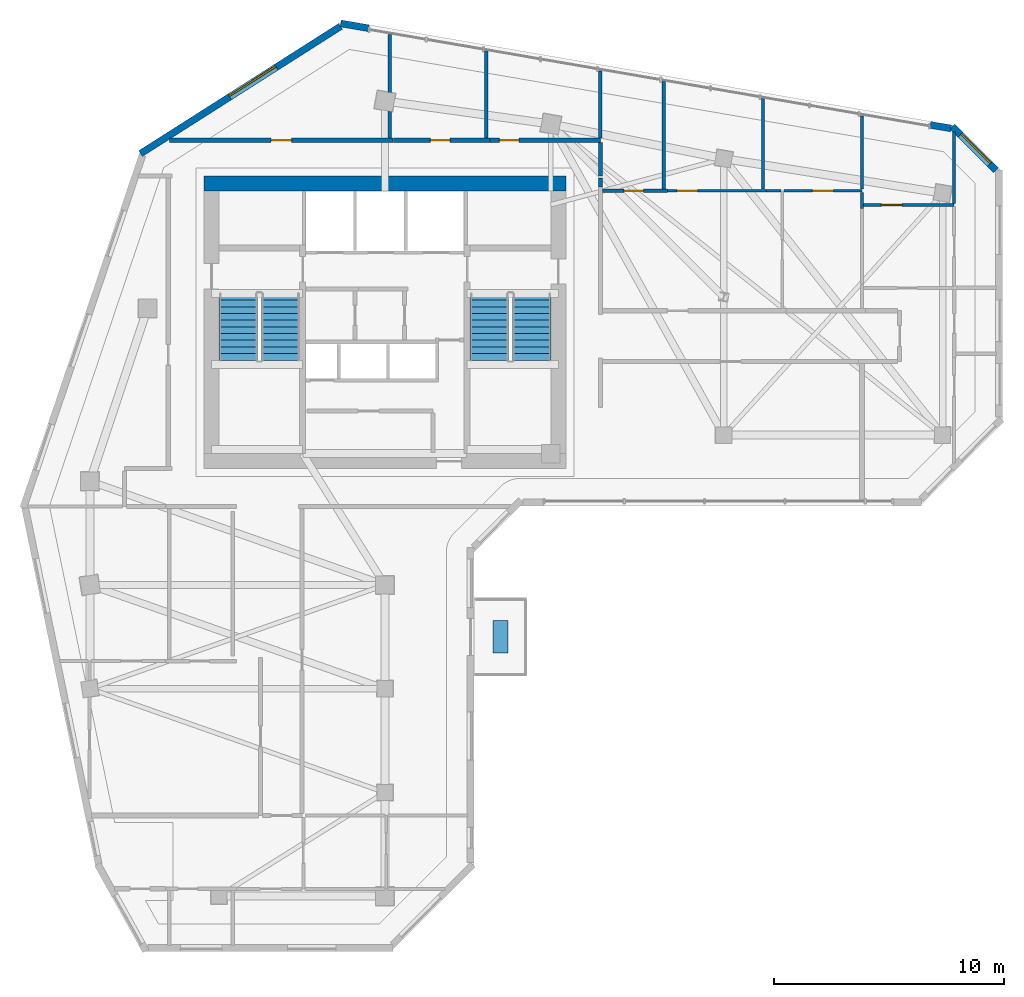
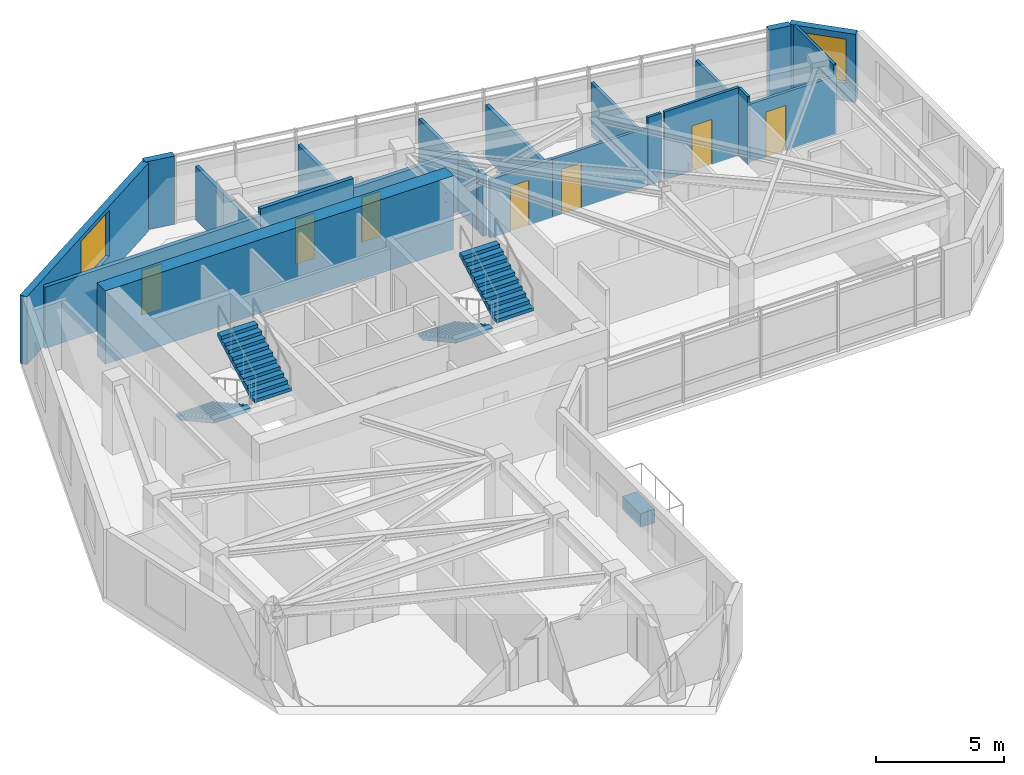
# One storey, part 7 of 10: 23 walls, 7 doors, 4 stair flights, 2 windows, 1 discrete accessory, 9 openings, 2 elements without a shape of their own.
"""IFC4 building model written with IfcOpenShell, lengths in metres."""

from ifc_helpers import new_model, si_unit, direction, frame, frame_2d, origin, origin_2d, place, context, subcontext, project, spatial, polyline, rectangle, outline, extrude, source, transform, mapped, material, layer, layer_set, type_object, element, fill, aggregate, save


model = new_model("IFC4")

# Units and contexts
model_context = context("Model", 3, precision=1e-05, world=origin(), true_north=direction((0.0, 1.0)))
body_context = subcontext(model_context, "Body", "Model", "MODEL_VIEW")
ifc_project = project(units=[si_unit("LENGTHUNIT", "METRE"), si_unit("AREAUNIT", "SQUARE_METRE"), si_unit("VOLUMEUNIT", "CUBIC_METRE"), si_unit("PLANEANGLEUNIT", "RADIAN"), si_unit("MASSUNIT", "GRAM", prefix="KILO")], contexts=[model_context])

# Site, building, storey
site_placement = place(None, origin())
site = spatial("IfcSite", under=ifc_project, at=site_placement, CompositionType="ELEMENT")
building_placement = place(site_placement, origin())
building = spatial("IfcBuilding", under=site, at=building_placement, Name="Calvemar Wedge Station Tower", CompositionType="ELEMENT")
storey_placement = place(building_placement, frame((0.0, 0.0, 197.39990234375)))
storey = spatial("IfcBuildingStorey", under=building, at=storey_placement, Name="L49", CompositionType="ELEMENT", Elevation=197.39990234375)

# Wall
ifc_material_1 = material(Name="Concrete C60", Category="concrete")
ifc_layer_1 = layer(ifc_material_1, 0.64990234375)
ifc_layer_set_1 = layer_set([ifc_layer_1], Name="Concrete C60")
wall_type_1 = type_object("IfcWallType", Name="SW-CORE-650", PredefinedType="SHEAR", material=ifc_layer_set_1)
wall_1_placement = place(storey_placement, frame((15.949951171875, 45.925048828125, 0.0), z_axis=(0.0, 0.0, 1.0), x_axis=(1.0, 0.0, 0.0)))
element("IfcWall", 1, at=wall_1_placement, inside=storey, type_object=wall_type_1, Name="Storey L49 Core Shear Wall N", PredefinedType="SHEAR", context=body_context, shape_type="SweptSolid", body=[
    extrude(rectangle(XDim=15.699951171875, YDim=0.64990234375, at=frame_2d((7.85009765625, 0.0))), origin(), (0.0, 0.0, 1.0), 3.5),
])

# Wall, opening, door
ifc_material_2 = material(Name="Double-stud fire-rated corridor partition")
ifc_layer_2 = layer(ifc_material_2, 0.179931640625)
ifc_layer_set_2 = layer_set([ifc_layer_2], Name="Double-stud fire-rated corridor partition")
wall_type_2 = type_object("IfcWallType", Name="W-CORR-180", PredefinedType="PARTITIONING", material=ifc_layer_set_2)
wall_2_placement = place(storey_placement, frame((14.45263671875, 47.800048828125, 0.0), z_axis=(0.0, 0.0, 1.0), x_axis=(1.0, 0.0, 0.0)))
wall_2 = element("IfcWall", 2, at=wall_2_placement, inside=storey, type_object=wall_type_2, Name="Storey L49 Interior Partition WL-L49-015", PredefinedType="PARTITIONING", context=body_context, shape_type="SweptSolid", body=[
    extrude(rectangle(XDim=9.707275390625, YDim=0.179931640625, at=frame_2d((4.853515625, 0.0))), origin(), (0.0, 0.0, 1.0), 2.919189453125),
])
shared_shape_1 = source(origin(), body_context, "Body", "SweptSolid", [
    extrude(rectangle(XDim=0.89990234375, YDim=2.14990234375, at=frame_2d((0.449951171875, 1.074951171875))), frame((0.0, 0.10009765625, 0.0), z_axis=(0.0, -1.0, 0.0), x_axis=(1.0, 0.0, 0.0)), (0.0, 0.0, 1.0), 0.199951171875),
])
opening_1_placement = place(wall_2_placement, frame((4.40380859375, 0.0, 0.0)))
opening_1 = element("IfcOpeningElement", 3, at=opening_1_placement, cuts=wall_2, Name="Opening D-01", PredefinedType="OPENING", context=body_context, shape_type="MappedRepresentation", body=[
    mapped(shared_shape_1, transform((0.0, 0.0, 0.0), scale=1.0)),
])
ifc_material_3 = material(Name="Architectural hardwood acoustic swing door", Category="wood")
door_type_1 = type_object("IfcDoorType", Name="DR-INT-900", OperationType="NOTDEFINED", PredefinedType="DOOR", material=ifc_material_3)
shared_shape_2 = source(origin(), body_context, "Body", "SweptSolid", [
    extrude(rectangle(XDim=0.89990234375, YDim=2.14990234375, at=frame_2d((0.449951171875, 1.074951171875))), frame((0.0, 0.02490234375, 0.0), z_axis=(0.0, -1.0, 0.0), x_axis=(1.0, 0.0, 0.0)), (0.0, 0.0, 1.0), 0.050048828125),
])
door_1_placement = place(opening_1_placement, origin())
door_1 = element("IfcDoor", 4, at=door_1_placement, inside=storey, type_object=door_type_1, Name="L49 Private Dining Room Door", OperationType="SINGLE_SWING_LEFT", OverallHeight=2.14990234375, OverallWidth=0.89990234375, PredefinedType="DOOR", context=body_context, shape_type="MappedRepresentation", body=[
    mapped(shared_shape_2, transform((0.0, 0.0, 0.0), scale=1.0)),
])
fill(opening_1, door_1)

wall_3_placement = place(storey_placement, frame((24.162109375, 47.800048828125, 0.0), z_axis=(0.0, 0.0, 1.0), x_axis=(1.0, 0.0, 0.0)))
wall_3 = element("IfcWall", 5, at=wall_3_placement, inside=storey, type_object=wall_type_2, Name="Storey L49 Interior Partition WL-L49-016", PredefinedType="PARTITIONING", context=body_context, shape_type="SweptSolid", body=[
    extrude(rectangle(XDim=4.197998046875, YDim=0.179931640625, at=frame_2d((2.09912109375, 0.0))), origin(), (0.0, 0.0, 1.0), 3.25),
])
shared_shape_3 = source(origin(), body_context, "Body", "SweptSolid", [
    extrude(rectangle(XDim=0.85009765625, YDim=2.14990234375, at=frame_2d((0.425048828125, 1.074951171875))), frame((0.0, 0.10009765625, 0.0), z_axis=(0.0, -1.0, 0.0), x_axis=(1.0, 0.0, 0.0)), (0.0, 0.0, 1.0), 0.199951171875),
])
opening_2_placement = place(wall_3_placement, frame((1.61328125, 0.0, 0.0)))
opening_2 = element("IfcOpeningElement", 6, at=opening_2_placement, cuts=wall_3, Name="Opening D-02", PredefinedType="OPENING", context=body_context, shape_type="MappedRepresentation", body=[
    mapped(shared_shape_3, transform((0.0, 0.0, 0.0), scale=1.0)),
])
ifc_material_4 = material(Name="Moisture-sealed bathroom hardwood swing door", Category="wood")
door_type_2 = type_object("IfcDoorType", Name="DR-WET-850", OperationType="NOTDEFINED", PredefinedType="DOOR", material=ifc_material_4)
shared_shape_4 = source(origin(), body_context, "Body", "SweptSolid", [
    extrude(rectangle(XDim=0.85009765625, YDim=2.14990234375, at=frame_2d((0.425048828125, 1.074951171875))), frame((0.0, 0.02490234375, 0.0), z_axis=(0.0, -1.0, 0.0), x_axis=(1.0, 0.0, 0.0)), (0.0, 0.0, 1.0), 0.050048828125),
])
door_2_placement = place(opening_2_placement, origin())
door_2 = element("IfcDoor", 7, at=door_2_placement, inside=storey, type_object=door_type_2, Name="L49 Accessible WC Door", OperationType="SINGLE_SWING_RIGHT", OverallHeight=2.14990234375, OverallWidth=0.85009765625, PredefinedType="DOOR", context=body_context, shape_type="MappedRepresentation", body=[
    mapped(shared_shape_4, transform((0.0, 0.0, 0.0), scale=1.0)),
])
fill(opening_2, door_2)

wall_4_placement = place(storey_placement, frame((28.362060546875, 47.800048828125, 0.0), z_axis=(0.0, 0.0, 1.0), x_axis=(1.0, 0.0, 0.0)))
wall_4 = element("IfcWall", 8, at=wall_4_placement, inside=storey, type_object=wall_type_2, Name="Storey L49 Interior Partition WL-L49-017", PredefinedType="PARTITIONING", context=body_context, shape_type="SweptSolid", body=[
    extrude(rectangle(XDim=4.787841796875, YDim=0.179931640625, at=frame_2d((2.39404296875, 0.0))), origin(), (0.0, 0.0, 1.0), 2.779052734375),
])
opening_3_placement = place(wall_4_placement, frame((0.400634765625, 0.0, 0.0)))
opening_3 = element("IfcOpeningElement", 9, at=opening_3_placement, cuts=wall_4, Name="Opening D-02", PredefinedType="OPENING", context=body_context, shape_type="MappedRepresentation", body=[
    mapped(shared_shape_3, transform((0.0, 0.0, 0.0), scale=1.0)),
])
door_3_placement = place(opening_3_placement, origin())
door_3 = element("IfcDoor", 10, at=door_3_placement, inside=storey, type_object=door_type_2, Name="L49 Storage Room Door", OperationType="SINGLE_SWING_LEFT", OverallHeight=2.14990234375, OverallWidth=0.85009765625, PredefinedType="DOOR", context=body_context, shape_type="MappedRepresentation", body=[
    mapped(shared_shape_4, transform((0.0, 0.0, 0.0), scale=1.0)),
])
fill(opening_3, door_3)

# Walls
wall_5_placement = place(storey_placement, frame((33.14990234375, 47.7060546875, 0.0), z_axis=(0.0, 0.0, 1.0), x_axis=(0.0, -1.0, 0.0)))
element("IfcWall", 11, at=wall_5_placement, inside=storey, type_object=wall_type_2, Name="Storey L49 Interior Partition WL-L49-018", PredefinedType="PARTITIONING", context=body_context, shape_type="SweptSolid", body=[
    extrude(rectangle(XDim=1.4560546875, YDim=0.179931640625, at=frame_2d((0.72802734375, 0.0))), origin(), (0.0, 0.0, 1.0), 2.779052734375),
])
wall_6_placement = place(storey_placement, frame((33.14990234375, 46.156005859375, 0.0), z_axis=(0.0, 0.0, 1.0), x_axis=(0.0, -1.0, 0.0)))
element("IfcWall", 12, at=wall_6_placement, inside=storey, type_object=wall_type_2, Name="Storey L49 Interior Partition WL-L49-020", PredefinedType="PARTITIONING", context=body_context, shape_type="SweptSolid", body=[
    extrude(rectangle(XDim=0.387939453125, YDim=0.179931640625, at=frame_2d((0.19384765625, 0.0))), origin(), (0.0, 0.0, 1.0), 2.919189453125),
])

# Wall, opening, window
ifc_material_5 = material(Name="Precast concrete C45", Category="concrete")
ifc_layer_3 = layer(ifc_material_5, 0.300048828125)
ifc_layer_set_3 = layer_set([ifc_layer_3], Name="Precast concrete C45")
wall_type_3 = type_object("IfcWallType", Name="W-EXT-GFRC-300", PredefinedType="SOLIDWALL", material=ifc_layer_set_3)
wall_7_placement = place(storey_placement, frame((50.31201171875, 46.5, 0.0), z_axis=(0.0, 0.0, 1.0), x_axis=(-0.707106781187, 0.707106781187, 0.0)))
wall_7 = element("IfcWall", 13, at=wall_7_placement, inside=storey, type_object=wall_type_3, Name="Storey L49 Bronze GFRC Exterior Wall 9", PredefinedType="SOLIDWALL", context=body_context, shape_type="SweptSolid", body=[
    extrude(rectangle(XDim=2.67333984375, YDim=0.300048828125, at=frame_2d((1.336669921875, 0.0))), origin(), (0.0, 0.0, 1.0), 3.25),
])
shared_shape_5 = source(origin(), body_context, "Body", "SweptSolid", [
    extrude(rectangle(XDim=1.800048828125, YDim=2.10009765625, at=frame_2d((0.89990234375, 1.050048828125))), frame((0.0, 0.16015625, 0.0), z_axis=(0.0, -1.0, 0.0), x_axis=(1.0, 0.0, 0.0)), (0.0, 0.0, 1.0), 0.320068359375),
])
opening_4_placement = place(wall_7_placement, frame((0.3740234375, 0.0, 0.85009765625)))
opening_4 = element("IfcOpeningElement", 14, at=opening_4_placement, cuts=wall_7, Name="Opening W2", PredefinedType="OPENING", context=body_context, shape_type="MappedRepresentation", body=[
    mapped(shared_shape_5, transform((0.0, 0.0, 0.0), scale=1.0)),
])
ifc_material_6 = material(Name="Low-E laminated insulated glass", Category="glass")
window_type_1 = type_object("IfcWindowType", Name="WIN-EXT-2", PartitioningType="SINGLE_PANEL", PredefinedType="WINDOW", material=ifc_material_6)
shared_shape_6 = source(origin(), body_context, "Body", "SweptSolid", [
    extrude(rectangle(XDim=1.800048828125, YDim=2.10009765625, at=frame_2d((0.89990234375, 1.050048828125))), frame((0.0, -0.014892578125, 0.0), z_axis=(0.0, -1.0, 0.0), x_axis=(1.0, 0.0, 0.0)), (0.0, 0.0, 1.0), 0.06005859375),
])
window_1_placement = place(opening_4_placement, origin())
window_1 = element("IfcWindow", 15, at=window_1_placement, inside=storey, type_object=window_type_1, Name="Storey L49 Recessed Window 9.1", OverallHeight=2.10009765625, OverallWidth=1.800048828125, PartitioningType="SINGLE_PANEL", PredefinedType="WINDOW", context=body_context, shape_type="MappedRepresentation", body=[
    mapped(shared_shape_6, transform((0.0, 0.0, 0.0), scale=1.0)),
])
fill(opening_4, window_1)

# Walls
wall_8_placement = place(storey_placement, frame((48.361083984375, 48.31298828125, 0.0), z_axis=(0.0, 0.0, 1.0), x_axis=(-0.985560806516, 0.169321872949, 0.0)))
element("IfcWall", 16, at=wall_8_placement, inside=storey, type_object=wall_type_3, Name="Storey L49 Bronze GFRC Corner Pier 10A", PredefinedType="SOLIDWALL", context=body_context, shape_type="SweptSolid", body=[
    extrude(rectangle(XDim=0.908447265625, YDim=0.300048828125, at=frame_2d((0.4541015625, 0.0))), origin(), (0.0, 0.0, 1.0), 3.25),
])
wall_9_placement = place(storey_placement, frame((23.093505859375, 52.65966796875, 0.0), z_axis=(0.0, 0.0, 1.0), x_axis=(-0.985503719785, 0.169653818966, 0.0)))
element("IfcWall", 17, at=wall_9_placement, inside=storey, type_object=wall_type_3, Name="Storey L49 Bronze GFRC Corner Pier 10B", PredefinedType="SOLIDWALL", context=body_context, shape_type="SweptSolid", body=[
    extrude(rectangle(XDim=1.2275390625, YDim=0.300048828125, at=frame_2d((0.61376953125, 0.0))), origin(), (0.0, 0.0, 1.0), 3.25),
])

# Wall, opening, window
wall_10_placement = place(storey_placement, frame((21.87451171875, 52.7421875, 0.0), z_axis=(0.0, 0.0, 1.0), x_axis=(-0.843666375448, -0.536867811419, 0.0)))
wall_10 = element("IfcWall", 18, at=wall_10_placement, inside=storey, type_object=wall_type_3, Name="Storey L49 Bronze GFRC Exterior Wall 11", PredefinedType="SOLIDWALL", context=body_context, shape_type="SweptSolid", body=[
    extrude(rectangle(XDim=10.28369140625, YDim=0.300048828125, at=frame_2d((5.141845703125, 0.0))), origin(), (0.0, 0.0, 1.0), 3.25),
])
shared_shape_7 = source(origin(), body_context, "Body", "SweptSolid", [
    extrude(rectangle(XDim=2.39990234375, YDim=2.199951171875, at=frame_2d((1.199951171875, 1.10009765625))), frame((0.0, 0.16015625, 0.0), z_axis=(0.0, -1.0, 0.0), x_axis=(1.0, 0.0, 0.0)), (0.0, 0.0, 1.0), 0.320068359375),
])
opening_5_placement = place(wall_10_placement, frame((3.306884765625, 0.0, 0.85009765625)))
opening_5 = element("IfcOpeningElement", 19, at=opening_5_placement, cuts=wall_10, Name="Opening W1", PredefinedType="OPENING", context=body_context, shape_type="MappedRepresentation", body=[
    mapped(shared_shape_7, transform((0.0, 0.0, 0.0), scale=1.0)),
])
window_type_2 = type_object("IfcWindowType", Name="WIN-EXT-1", PartitioningType="SINGLE_PANEL", PredefinedType="WINDOW", material=ifc_material_6)
shared_shape_8 = source(origin(), body_context, "Body", "SweptSolid", [
    extrude(rectangle(XDim=2.39990234375, YDim=2.199951171875, at=frame_2d((1.199951171875, 1.10009765625))), frame((0.0, -0.014892578125, 0.0), z_axis=(0.0, -1.0, 0.0), x_axis=(1.0, 0.0, 0.0)), (0.0, 0.0, 1.0), 0.06005859375),
])
window_2_placement = place(opening_5_placement, origin())
window_2 = element("IfcWindow", 20, at=window_2_placement, inside=storey, type_object=window_type_2, Name="Storey L49 Recessed Window 11.1", OverallHeight=2.199951171875, OverallWidth=2.39990234375, PartitioningType="SINGLE_PANEL", PredefinedType="WINDOW", context=body_context, shape_type="MappedRepresentation", body=[
    mapped(shared_shape_8, transform((0.0, 0.0, 0.0), scale=1.0)),
])
fill(opening_5, window_2)

# Wall, opening, door
ifc_material_7 = material(Name="Insulated acoustic gypsum stud partition")
ifc_layer_4 = layer(ifc_material_7, 0.125)
ifc_layer_set_4 = layer_set([ifc_layer_4], Name="Insulated acoustic gypsum stud partition")
wall_type_4 = type_object("IfcWallType", Name="W-PART-125", PredefinedType="PARTITIONING", material=ifc_layer_set_4)
wall_11_placement = place(storey_placement, frame((36.06201171875, 45.60595703125, 0.0), z_axis=(0.0, 0.0, 1.0), x_axis=(1.0, 0.0, 0.0)))
wall_11 = element("IfcWall", 21, at=wall_11_placement, inside=storey, type_object=wall_type_4, Name="Storey L49 Interior Partition WL-L49-034", PredefinedType="PARTITIONING", context=body_context, shape_type="SweptSolid", body=[
    extrude(rectangle(XDim=4.298095703125, YDim=0.125, at=frame_2d((2.14892578125, 0.0))), origin(), (0.0, 0.0, 1.0), 2.76611328125),
])
shared_shape_9 = source(origin(), body_context, "Body", "SweptSolid", [
    extrude(rectangle(XDim=0.89990234375, YDim=2.14990234375, at=frame_2d((0.449951171875, 1.074951171875))), frame((0.0, 0.072509765625, 0.0), z_axis=(0.0, -1.0, 0.0), x_axis=(1.0, 0.0, 0.0)), (0.0, 0.0, 1.0), 0.14501953125),
])
opening_6_placement = place(wall_11_placement, frame((0.4033203125, 0.0, 0.0)))
opening_6 = element("IfcOpeningElement", 22, at=opening_6_placement, cuts=wall_11, Name="Opening D-01", PredefinedType="OPENING", context=body_context, shape_type="MappedRepresentation", body=[
    mapped(shared_shape_9, transform((0.0, 0.0, 0.0), scale=1.0)),
])
door_4_placement = place(opening_6_placement, origin())
door_4 = element("IfcDoor", 23, at=door_4_placement, inside=storey, type_object=door_type_1, Name="L49 Master Bedroom Door", OperationType="SINGLE_SWING_LEFT", OverallHeight=2.14990234375, OverallWidth=0.89990234375, PredefinedType="DOOR", context=body_context, shape_type="MappedRepresentation", body=[
    mapped(shared_shape_2, transform((0.0, 0.0, 0.0), scale=1.0)),
])
fill(opening_6, door_4)

# Wall
wall_12_placement = place(storey_placement, frame((40.362060546875, 45.60595703125, 0.0), z_axis=(0.0, 0.0, 1.0), x_axis=(1.0, 0.0, 0.0)))
element("IfcWall", 24, at=wall_12_placement, inside=storey, type_object=wall_type_4, Name="Storey L49 Interior Partition WL-L49-035", PredefinedType="PARTITIONING", context=body_context, shape_type="SweptSolid", body=[
    extrude(rectangle(XDim=0.613525390625, YDim=0.125, at=frame_2d((0.306640625, 0.0))), origin(), (0.0, 0.0, 1.0), 3.25),
])

# Wall, opening, door
wall_13_placement = place(storey_placement, frame((41.1083984375, 45.60595703125, 0.0), z_axis=(0.0, 0.0, 1.0), x_axis=(1.0, 0.0, 0.0)))
wall_13 = element("IfcWall", 25, at=wall_13_placement, inside=storey, type_object=wall_type_4, Name="Storey L49 Interior Partition WL-L49-036", PredefinedType="PARTITIONING", context=body_context, shape_type="SweptSolid", body=[
    extrude(rectangle(XDim=3.3916015625, YDim=0.125, at=frame_2d((1.69580078125, 0.0))), origin(), (0.0, 0.0, 1.0), 3.25),
])
opening_7_placement = place(wall_13_placement, frame((1.245849609375, 0.0, 0.0)))
opening_7 = element("IfcOpeningElement", 26, at=opening_7_placement, cuts=wall_13, Name="Opening D-01", PredefinedType="OPENING", context=body_context, shape_type="MappedRepresentation", body=[
    mapped(shared_shape_9, transform((0.0, 0.0, 0.0), scale=1.0)),
])
door_5_placement = place(opening_7_placement, origin())
door_5 = element("IfcDoor", 27, at=door_5_placement, inside=storey, type_object=door_type_1, Name="L49 Master Bedroom Door", OperationType="SINGLE_SWING_RIGHT", OverallHeight=2.14990234375, OverallWidth=0.89990234375, PredefinedType="DOOR", context=body_context, shape_type="MappedRepresentation", body=[
    mapped(shared_shape_2, transform((0.0, 0.0, 0.0), scale=1.0)),
])
fill(opening_7, door_5)

# Walls
wall_14_placement = place(storey_placement, frame((44.5, 45.53955078125, 0.0), z_axis=(0.0, 0.0, 1.0), x_axis=(0.0, -1.0, 0.0)))
element("IfcWall", 28, at=wall_14_placement, inside=storey, type_object=wall_type_4, Name="Storey L49 Interior Partition WL-L49-037", PredefinedType="PARTITIONING", context=body_context, shape_type="SweptSolid", body=[
    extrude(rectangle(XDim=0.71044921875, YDim=0.125, at=frame_2d((0.355224609375, 0.0))), origin(), (0.0, 0.0, 1.0), 3.25),
])
wall_15_placement = place(storey_placement, frame((40.199951171875, 49.60009765625, 0.0), z_axis=(0.0, 0.0, 1.0), x_axis=(0.0, -1.0, 0.0)))
element("IfcWall", 29, at=wall_15_placement, inside=storey, type_object=wall_type_4, Name="Storey L49 Interior Partition WL-L49-041", PredefinedType="PARTITIONING", context=body_context, shape_type="SweptSolid", body=[
    extrude(rectangle(XDim=3.927490234375, YDim=0.125, at=frame_2d((1.9638671875, 0.0))), origin(), (0.0, 0.0, 1.0), 2.5419921875),
])
wall_16_placement = place(storey_placement, frame((44.5, 48.8603515625, 0.0), z_axis=(0.0, 0.0, 1.0), x_axis=(0.0, -1.0, 0.0)))
element("IfcWall", 30, at=wall_16_placement, inside=storey, type_object=wall_type_4, Name="Storey L49 Interior Partition WL-L49-042", PredefinedType="PARTITIONING", context=body_context, shape_type="SweptSolid", body=[
    extrude(rectangle(XDim=3.187744140625, YDim=0.125, at=frame_2d((1.59375, 0.0))), origin(), (0.0, 0.0, 1.0), 2.5419921875),
])

# Wall, opening, door
wall_17_placement = place(storey_placement, frame((48.5, 44.989013671875, 0.0), z_axis=(0.0, 0.0, 1.0), x_axis=(-1.0, 0.0, 0.0)))
wall_17 = element("IfcWall", 31, at=wall_17_placement, inside=storey, type_object=wall_type_4, Name="Storey L49 Interior Partition WL-L49-043", PredefinedType="PARTITIONING", context=body_context, shape_type="SweptSolid", body=[
    extrude(rectangle(XDim=3.93359375, YDim=0.125, at=frame_2d((1.966796875, 0.0))), origin(), (0.0, 0.0, 1.0), 2.76611328125),
])
opening_8_placement = place(wall_17_placement, frame((2.2587890625, 0.0, 0.0)))
opening_8 = element("IfcOpeningElement", 32, at=opening_8_placement, cuts=wall_17, Name="Opening D-01", PredefinedType="OPENING", context=body_context, shape_type="MappedRepresentation", body=[
    mapped(shared_shape_9, transform((0.0, 0.0, 0.0), scale=1.0)),
])
door_6_placement = place(opening_8_placement, origin())
door_6 = element("IfcDoor", 33, at=door_6_placement, inside=storey, type_object=door_type_1, Name="L49 Study Door", OperationType="SINGLE_SWING_LEFT", OverallHeight=2.14990234375, OverallWidth=0.89990234375, PredefinedType="DOOR", context=body_context, shape_type="MappedRepresentation", body=[
    mapped(shared_shape_2, transform((0.0, 0.0, 0.0), scale=1.0)),
])
fill(opening_8, door_6)

# Walls
wall_18_placement = place(storey_placement, frame((48.5, 48.149169921875, 0.0), z_axis=(0.0, 0.0, 1.0), x_axis=(0.0, -1.0, 0.0)))
element("IfcWall", 34, at=wall_18_placement, inside=storey, type_object=wall_type_4, Name="Storey L49 Interior Partition WL-L49-044", PredefinedType="PARTITIONING", context=body_context, shape_type="SweptSolid", body=[
    extrude(rectangle(XDim=3.09375, YDim=0.125, at=frame_2d((1.546875, 0.0))), origin(), (0.0, 0.0, 1.0), 3.25),
])
ifc_material_8 = material(Name="Moisture-resistant acoustic bathroom partition")
ifc_layer_5 = layer(ifc_material_8, 0.14990234375)
ifc_layer_set_5 = layer_set([ifc_layer_5], Name="Moisture-resistant acoustic bathroom partition")
wall_type_5 = type_object("IfcWallType", Name="W-WET-150", PredefinedType="PARTITIONING", material=ifc_layer_set_5)
wall_19_placement = place(storey_placement, frame((24.0, 52.386962890625, 0.0), z_axis=(0.0, 0.0, 1.0), x_axis=(0.0, -1.0, 0.0)))
element("IfcWall", 35, at=wall_19_placement, inside=storey, type_object=wall_type_5, Name="Storey L49 Interior Partition WL-L49-023", PredefinedType="PARTITIONING", context=body_context, shape_type="SweptSolid", body=[
    extrude(rectangle(XDim=4.492919921875, YDim=0.14990234375, at=frame_2d((2.24658203125, 0.0))), origin(), (0.0, 0.0, 1.0), 2.5419921875),
])
wall_20_placement = place(storey_placement, frame((28.199951171875, 51.66455078125, 0.0), z_axis=(0.0, 0.0, 1.0), x_axis=(0.0, -1.0, 0.0)))
element("IfcWall", 36, at=wall_20_placement, inside=storey, type_object=wall_type_5, Name="Storey L49 Interior Partition WL-L49-024", PredefinedType="PARTITIONING", context=body_context, shape_type="SweptSolid", body=[
    extrude(rectangle(XDim=3.7705078125, YDim=0.14990234375, at=frame_2d((1.88525390625, 0.0))), origin(), (0.0, 0.0, 1.0), 2.5419921875),
])
wall_21_placement = place(storey_placement, frame((33.14990234375, 50.81298828125, 0.0), z_axis=(0.0, 0.0, 1.0), x_axis=(0.0, -1.0, 0.0)))
element("IfcWall", 37, at=wall_21_placement, inside=storey, type_object=wall_type_5, Name="Storey L49 Interior Partition WL-L49-025", PredefinedType="PARTITIONING", context=body_context, shape_type="SweptSolid", body=[
    extrude(rectangle(XDim=2.9189453125, YDim=0.14990234375, at=frame_2d((1.45947265625, 0.0))), origin(), (0.0, 0.0, 1.0), 2.5419921875),
])

# Wall, opening, door
wall_22_placement = place(storey_placement, frame((33.243896484375, 45.60595703125, 0.0), z_axis=(0.0, 0.0, 1.0), x_axis=(1.0, 0.0, 0.0)))
wall_22 = element("IfcWall", 38, at=wall_22_placement, inside=storey, type_object=wall_type_5, Name="Storey L49 Interior Partition WL-L49-033", PredefinedType="PARTITIONING", context=body_context, shape_type="SweptSolid", body=[
    extrude(rectangle(XDim=2.816162109375, YDim=0.14990234375, at=frame_2d((1.408203125, 0.0))), origin(), (0.0, 0.0, 1.0), 2.779052734375),
])
shared_shape_10 = source(origin(), body_context, "Body", "SweptSolid", [
    extrude(rectangle(XDim=0.85009765625, YDim=2.14990234375, at=frame_2d((0.425048828125, 1.074951171875))), frame((0.0, 0.0849609375, 0.0), z_axis=(0.0, -1.0, 0.0), x_axis=(1.0, 0.0, 0.0)), (0.0, 0.0, 1.0), 0.169921875),
])
opening_9_placement = place(wall_22_placement, frame((0.919189453125, 0.0, 0.0)))
opening_9 = element("IfcOpeningElement", 39, at=opening_9_placement, cuts=wall_22, Name="Opening D-02", PredefinedType="OPENING", context=body_context, shape_type="MappedRepresentation", body=[
    mapped(shared_shape_10, transform((0.0, 0.0, 0.0), scale=1.0)),
])
door_7_placement = place(opening_9_placement, origin())
door_7 = element("IfcDoor", 40, at=door_7_placement, inside=storey, type_object=door_type_2, Name="L49 Bathroom Door", OperationType="SINGLE_SWING_RIGHT", OverallHeight=2.14990234375, OverallWidth=0.85009765625, PredefinedType="DOOR", context=body_context, shape_type="MappedRepresentation", body=[
    mapped(shared_shape_4, transform((0.0, 0.0, 0.0), scale=1.0)),
])
fill(opening_9, door_7)

# Wall
wall_23_placement = place(storey_placement, frame((35.89990234375, 50.33984375, 0.0), z_axis=(0.0, 0.0, 1.0), x_axis=(0.0, -1.0, 0.0)))
element("IfcWall", 41, at=wall_23_placement, inside=storey, type_object=wall_type_5, Name="Storey L49 Interior Partition WL-L49-040", PredefinedType="PARTITIONING", context=body_context, shape_type="SweptSolid", body=[
    extrude(rectangle(XDim=4.65478515625, YDim=0.14990234375, at=frame_2d((2.327392578125, 0.0))), origin(), (0.0, 0.0, 1.0), 2.5419921875),
])

# Stair, stair flights
ifc_material_9 = material(Name="Concrete C45", Category="concrete")
stair_type = type_object("IfcStairType", Name="ST-TYPE-3500", PredefinedType="HALF_TURN_STAIR", material=ifc_material_9)
stair_1_placement = place(storey_placement, origin())
stair_1 = element("IfcStair", 42, at=stair_1_placement, inside=storey, type_object=stair_type, Name="L49 Pressurized Core Exit Stair ST-C1", PredefinedType="HALF_TURN_STAIR")
stair_flight_type = type_object("IfcStairFlightType", Name="STF-TYPE-3500", PredefinedType="STRAIGHT", material=ifc_material_9)
stair_flight_1_placement = place(storey_placement, frame((17.429931640625, 41.14990234375, 0.0), z_axis=(0.0, 0.0, 1.0), x_axis=(0.0, -1.0, 0.0)))
stair_flight_1 = element("IfcStairFlight", 43, at=stair_flight_1_placement, type_object=stair_flight_type, Name="ST-C1 flight 1", NumberOfRisers=11, NumberOfTreads=10, PredefinedType="STRAIGHT", RiserHeight=0.159090909, TreadLength=0.29, context=body_context, shape_type="SweptSolid", body=[
    extrude(outline(polyline([(0.0, 0.0), (0.0, 0.1591796875), (0.2900390625, 0.1591796875), (0.2900390625, 0.318115234375), (0.580078125, 0.318115234375), (0.580078125, 0.477294921875), (0.8701171875, 0.477294921875), (0.8701171875, 0.636474609375), (1.159912109375, 0.636474609375), (1.159912109375, 0.79541015625), (1.449951171875, 0.79541015625), (1.449951171875, 0.95458984375), (1.739990234375, 0.95458984375), (1.739990234375, 1.113525390625), (2.030029296875, 1.113525390625), (2.030029296875, 1.272705078125), (2.320068359375, 1.272705078125), (2.320068359375, 1.431884765625), (2.610107421875, 1.431884765625), (2.610107421875, 1.5908203125), (2.89990234375, 1.5908203125), (2.89990234375, 1.75), (2.89990234375, 1.419921875), (0.311767578125, 0.0), (0.0, 0.0)])), frame((0.0, 0.830078125, 0.0), z_axis=(0.0, -1.0, 0.0), x_axis=(1.0, 0.0, 0.0)), (0.0, 0.0, 1.0), 1.659912109375),
])
stair_flight_2_placement = place(storey_placement, frame((19.27001953125, 38.25, 1.75), z_axis=(0.0, 0.0, 1.0), x_axis=(0.0, 1.0, 0.0)))
stair_flight_2 = element("IfcStairFlight", 44, at=stair_flight_2_placement, type_object=stair_flight_type, Name="ST-C1 flight 2", NumberOfRisers=11, NumberOfTreads=10, PredefinedType="STRAIGHT", RiserHeight=0.159090909, TreadLength=0.29, context=body_context, shape_type="SweptSolid", body=[
    extrude(outline(polyline([(0.0, 0.0), (0.0, 0.1591796875), (0.2900390625, 0.1591796875), (0.2900390625, 0.318115234375), (0.580078125, 0.318115234375), (0.580078125, 0.477294921875), (0.8701171875, 0.477294921875), (0.8701171875, 0.636474609375), (1.159912109375, 0.636474609375), (1.159912109375, 0.79541015625), (1.449951171875, 0.79541015625), (1.449951171875, 0.95458984375), (1.739990234375, 0.95458984375), (1.739990234375, 1.113525390625), (2.030029296875, 1.113525390625), (2.030029296875, 1.272705078125), (2.320068359375, 1.272705078125), (2.320068359375, 1.431884765625), (2.610107421875, 1.431884765625), (2.610107421875, 1.5908203125), (2.89990234375, 1.5908203125), (2.89990234375, 1.75), (2.89990234375, 1.419921875), (0.311767578125, 0.0), (0.0, 0.0)])), frame((0.0, 0.830078125, 0.0), z_axis=(0.0, -1.0, 0.0), x_axis=(1.0, 0.0, 0.0)), (0.0, 0.0, 1.0), 1.659912109375),
])
aggregate(stair_1, [stair_flight_1, stair_flight_2])

stair_2_placement = place(storey_placement, origin())
stair_2 = element("IfcStair", 45, at=stair_2_placement, inside=storey, type_object=stair_type, Name="L49 Pressurized Core Exit Stair ST-C2", PredefinedType="HALF_TURN_STAIR")
stair_flight_3_placement = place(storey_placement, frame((28.330078125, 41.14990234375, 0.0), z_axis=(0.0, 0.0, 1.0), x_axis=(0.0, -1.0, 0.0)))
stair_flight_3 = element("IfcStairFlight", 46, at=stair_flight_3_placement, type_object=stair_flight_type, Name="ST-C2 flight 1", NumberOfRisers=11, NumberOfTreads=10, PredefinedType="STRAIGHT", RiserHeight=0.159090909, TreadLength=0.29, context=body_context, shape_type="SweptSolid", body=[
    extrude(outline(polyline([(0.0, 0.0), (0.0, 0.1591796875), (0.2900390625, 0.1591796875), (0.2900390625, 0.318115234375), (0.580078125, 0.318115234375), (0.580078125, 0.477294921875), (0.8701171875, 0.477294921875), (0.8701171875, 0.636474609375), (1.159912109375, 0.636474609375), (1.159912109375, 0.79541015625), (1.449951171875, 0.79541015625), (1.449951171875, 0.95458984375), (1.739990234375, 0.95458984375), (1.739990234375, 1.113525390625), (2.030029296875, 1.113525390625), (2.030029296875, 1.272705078125), (2.320068359375, 1.272705078125), (2.320068359375, 1.431884765625), (2.610107421875, 1.431884765625), (2.610107421875, 1.5908203125), (2.89990234375, 1.5908203125), (2.89990234375, 1.75), (2.89990234375, 1.419921875), (0.311767578125, 0.0), (0.0, 0.0)])), frame((0.0, 0.830078125, 0.0), z_axis=(0.0, -1.0, 0.0), x_axis=(1.0, 0.0, 0.0)), (0.0, 0.0, 1.0), 1.659912109375),
])
stair_flight_4_placement = place(storey_placement, frame((30.169921875, 38.25, 1.75), z_axis=(0.0, 0.0, 1.0), x_axis=(0.0, 1.0, 0.0)))
stair_flight_4 = element("IfcStairFlight", 47, at=stair_flight_4_placement, type_object=stair_flight_type, Name="ST-C2 flight 2", NumberOfRisers=11, NumberOfTreads=10, PredefinedType="STRAIGHT", RiserHeight=0.159090909, TreadLength=0.29, context=body_context, shape_type="SweptSolid", body=[
    extrude(outline(polyline([(0.0, 0.0), (0.0, 0.1591796875), (0.2900390625, 0.1591796875), (0.2900390625, 0.318115234375), (0.580078125, 0.318115234375), (0.580078125, 0.477294921875), (0.8701171875, 0.477294921875), (0.8701171875, 0.636474609375), (1.159912109375, 0.636474609375), (1.159912109375, 0.79541015625), (1.449951171875, 0.79541015625), (1.449951171875, 0.95458984375), (1.739990234375, 0.95458984375), (1.739990234375, 1.113525390625), (2.030029296875, 1.113525390625), (2.030029296875, 1.272705078125), (2.320068359375, 1.272705078125), (2.320068359375, 1.431884765625), (2.610107421875, 1.431884765625), (2.610107421875, 1.5908203125), (2.89990234375, 1.5908203125), (2.89990234375, 1.75), (2.89990234375, 1.419921875), (0.311767578125, 0.0), (0.0, 0.0)])), frame((0.0, 0.830078125, 0.0), z_axis=(0.0, -1.0, 0.0), x_axis=(1.0, 0.0, 0.0)), (0.0, 0.0, 1.0), 1.659912109375),
])
aggregate(stair_2, [stair_flight_3, stair_flight_4])

# Discrete accessory
discrete_accessory_type = type_object("IfcDiscreteAccessoryType", Name="ACC-PLANTER", PredefinedType="USERDEFINED", material=ifc_material_5)
shared_shape_11 = source(origin(), body_context, "Body", "SweptSolid", [
    extrude(rectangle(XDim=0.64990234375, YDim=1.39990234375, at=origin_2d()), origin(), (0.0, 0.0, 1.0), 0.64990234375),
])
discrete_accessory_placement = place(storey_placement, frame((28.81396484375, 26.25, 0.000244140625), z_axis=(0.0, 0.0, 1.0), x_axis=(1.0, 0.0, 0.0)))
element("IfcDiscreteAccessory", 48, at=discrete_accessory_placement, inside=storey, type_object=discrete_accessory_type, Name="Storey L49 Planted Terrace GFRC Planter", ObjectType="PLANTER", PredefinedType="USERDEFINED", context=body_context, shape_type="MappedRepresentation", body=[
    mapped(shared_shape_11, transform((0.0, 0.0, 0.0), scale=1.0)),
])

save(model, "model.ifc")
